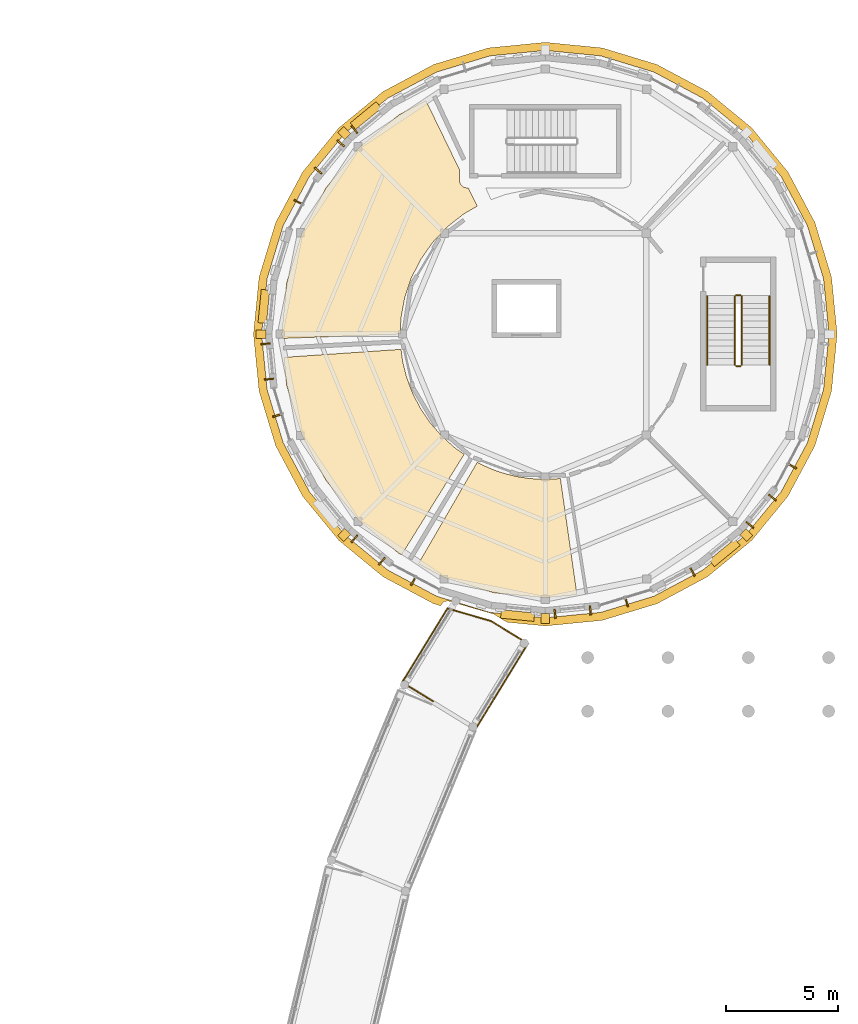
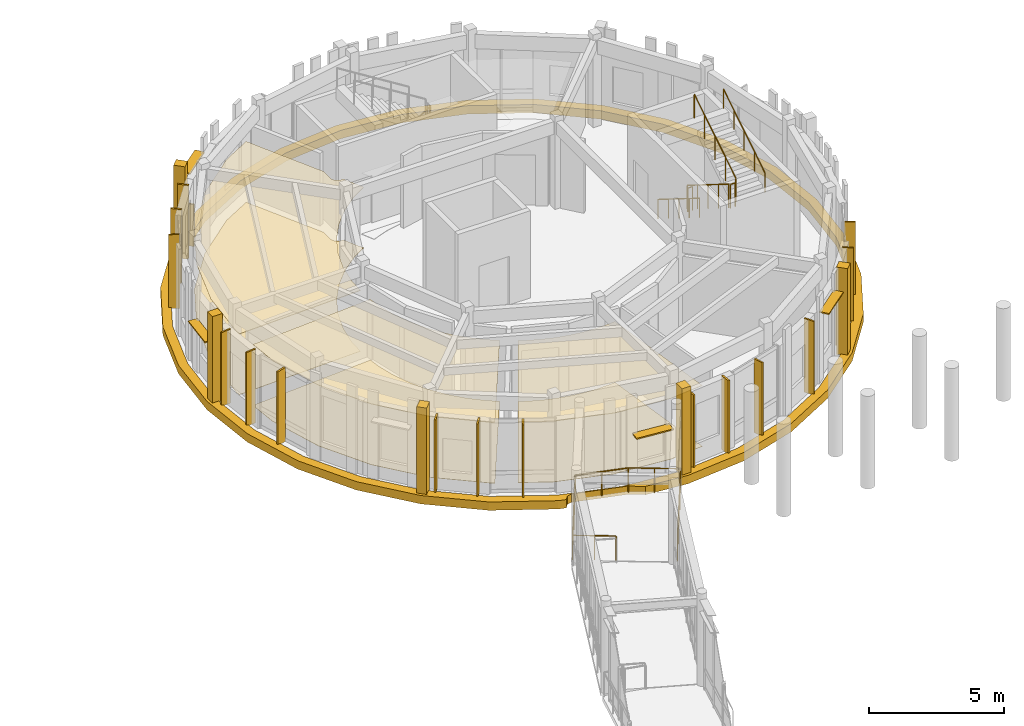
# One storey, part 79 of 80: 21 shading devices, 12 coverings, 8 railings.
"""IFC4 building model written with IfcOpenShell, lengths in metres."""

from ifc_helpers import new_model, si_unit, direction, frame, origin, origin_2d, place, context, subcontext, project, spatial, polyline, rectangle, circle, outline, extrude, material, layer, layer_set, type_object, element, save


model = new_model("IFC4")

# Units and contexts
model_context = context("Model", 3, precision=1e-05, world=origin(), true_north=direction((0.0, 1.0)))
body_context = subcontext(model_context, "Body", "Model", "MODEL_VIEW")
ifc_project = project(units=[si_unit("LENGTHUNIT", "METRE"), si_unit("AREAUNIT", "SQUARE_METRE"), si_unit("VOLUMEUNIT", "CUBIC_METRE"), si_unit("PLANEANGLEUNIT", "RADIAN"), si_unit("MASSUNIT", "GRAM", prefix="KILO")], contexts=[model_context])

# Site, building, storey
site_placement = place(None, origin())
site = spatial("IfcSite", under=ifc_project, at=site_placement, CompositionType="ELEMENT")
building_placement = place(site_placement, origin())
building = spatial("IfcBuilding", under=site, at=building_placement, Name="Aldenvaro Health Centre", CompositionType="ELEMENT")
storey_placement = place(building_placement, frame((0.0, 0.0, 4.550048828125)))
storey = spatial("IfcBuildingStorey", under=building, at=storey_placement, Name="L01", CompositionType="ELEMENT", Elevation=4.550048828125)

# Coverings
ifc_material_1 = material(Name="Hygienic Sealed Gypsum Ceiling")
ifc_layer_1 = layer(ifc_material_1, 0.02490234375, Name="Hygienic Sealed Gypsum Ceiling")
ifc_layer_set_1 = layer_set([ifc_layer_1], Name="Hygienic Sealed Gypsum Ceiling")
covering_type_1 = type_object("IfcCoveringType", Name="COV-CLG-GYP25", PredefinedType="CEILING", material=ifc_layer_set_1)
covering_1_placement = place(storey_placement, frame((0.0, 0.0, 2.75)))
element("IfcCovering", 1, at=covering_1_placement, inside=storey, type_object=covering_type_1, Name="D2-L01-R02 Suspended Ceiling", PredefinedType="CEILING", context=body_context, shape_type="SweptSolid", body=[
    extrude(outline(polyline([(150.85791015625, 104.89501953125), (150.8291015625, 104.8759765625), (150.118896484375, 104.31494140625), (150.093994140625, 104.291015625), (149.471923828125, 103.634033203125), (149.449951171875, 103.60693359375), (148.928955078125, 102.866943359375), (148.910888671875, 102.837890625), (148.5029296875, 102.031005859375), (148.489013671875, 101.9990234375), (148.200927734375, 101.14111328125), (148.19189453125, 101.10791015625), (148.030029296875, 100.217041015625), (148.027099609375, 100.18310546875), (148.001953125, 99.501953125), (142.699951171875, 99.306884765625), (142.681884765625, 99.5), (142.907958984375, 101.804931640625), (143.5810546875, 104.02294921875), (144.673095703125, 106.06591796875), (146.14306640625, 107.85693359375), (147.93408203125, 109.326904296875), (149.14697265625, 109.97509765625), (150.659912109375, 106.85888671875), (150.659912109375, 106.3798828125), (150.659912109375, 106.367919921875), (150.660888671875, 106.360107421875), (150.6630859375, 106.3369140625), (150.6640625, 106.3291015625), (150.6689453125, 106.305908203125), (150.6708984375, 106.298095703125), (150.677001953125, 106.27587890625), (150.679931640625, 106.26904296875), (150.68896484375, 106.2470703125), (150.69189453125, 106.239990234375), (150.7041015625, 106.218994140625), (150.7080078125, 106.2119140625), (150.720947265625, 106.193115234375), (150.72509765625, 106.18603515625), (150.739990234375, 106.16796875), (150.74609375, 106.162109375), (150.761962890625, 106.14599609375), (150.76806640625, 106.139892578125), (150.785888671875, 106.125), (150.79296875, 106.12109375), (150.81201171875, 106.10791015625), (150.819091796875, 106.10400390625), (150.840087890625, 106.092041015625), (150.846923828125, 106.089111328125), (150.868896484375, 106.080078125), (150.8759765625, 106.076904296875), (150.89794921875, 106.071044921875), (150.906005859375, 106.069091796875), (150.928955078125, 106.06396484375), (150.93701171875, 106.06298828125), (150.9599609375, 106.06103515625), (150.968017578125, 106.06005859375), (150.97998046875, 106.06005859375), (151.048095703125, 106.06005859375), (151.447998046875, 105.236083984375), (150.85791015625, 104.89501953125)])), origin(), (0.0, 0.0, 1.0), 0.02490234375),
])
covering_2_placement = place(storey_placement, frame((0.0, 0.0, 2.75)))
element("IfcCovering", 2, at=covering_2_placement, inside=storey, type_object=covering_type_1, Name="D2-L01-R03 Suspended Ceiling", PredefinedType="CEILING", context=body_context, shape_type="SweptSolid", body=[
    extrude(outline(polyline([(148.10009765625, 98.30810546875), (148.10595703125, 98.280029296875), (148.285888671875, 97.56103515625), (148.2939453125, 97.533935546875), (148.55810546875, 96.842041015625), (148.569091796875, 96.81591796875), (148.9130859375, 96.158935546875), (148.927978515625, 96.135009765625), (149.345947265625, 95.52392578125), (149.363037109375, 95.5009765625), (149.85107421875, 94.943115234375), (149.87109375, 94.923095703125), (150.4208984375, 94.427001953125), (150.443115234375, 94.408935546875), (150.863037109375, 94.112060546875), (148.05908203125, 89.60595703125), (147.93408203125, 89.673095703125), (146.14306640625, 91.14306640625), (144.673095703125, 92.93408203125), (143.5810546875, 94.97705078125), (142.907958984375, 97.195068359375), (142.783935546875, 98.4609375), (148.034912109375, 98.819091796875), (148.10009765625, 98.30810546875)])), origin(), (0.0, 0.0, 1.0), 0.02490234375),
])
covering_3_placement = place(storey_placement, frame((0.0, 0.0, 2.75)))
element("IfcCovering", 3, at=covering_3_placement, inside=storey, type_object=covering_type_1, Name="D2-L01-R04 Suspended Ceiling", PredefinedType="CEILING", context=body_context, shape_type="SweptSolid", body=[
    extrude(outline(polyline([(151.7060546875, 93.6201171875), (151.72412109375, 93.612060546875), (152.2060546875, 93.407958984375), (152.22412109375, 93.40087890625), (152.720947265625, 93.238037109375), (152.739990234375, 93.23291015625), (153.248046875, 93.112060546875), (153.26806640625, 93.10791015625), (153.783935546875, 93.030029296875), (153.803955078125, 93.028076171875), (154.324951171875, 92.992919921875), (154.344970703125, 92.991943359375), (154.867919921875, 93.0009765625), (154.887939453125, 93.001953125), (155.177978515625, 93.031005859375), (155.919921875, 87.821044921875), (154.5, 87.681884765625), (152.195068359375, 87.907958984375), (149.97705078125, 88.5810546875), (148.81005859375, 89.205078125), (151.447998046875, 93.756103515625), (151.7060546875, 93.6201171875)])), origin(), (0.0, 0.0, 1.0), 0.02490234375),
])
ifc_material_2 = material(Name="Honed Sonoran Buff Limestone", Category="masonry")
ifc_layer_2 = layer(ifc_material_2, 0.280029296875, Name="Honed Sonoran Buff Limestone", Category="masonry")
ifc_layer_set_2 = layer_set([ifc_layer_2], Name="Honed Sonoran Buff Limestone")
covering_type_2 = type_object("IfcCoveringType", Name="COV-CRN-STN", PredefinedType="CLADDING", material=ifc_layer_set_2)
covering_4_placement = place(storey_placement, frame((0.0, 0.0, -0.340087890625)))
element("IfcCovering", 4, at=covering_4_placement, inside=storey, type_object=covering_type_2, Name="D2 L01 Classical Stone Entablature Cornice 1", PredefinedType="CLADDING", context=body_context, shape_type="SweptSolid", body=[
    extrude(outline(polyline([(149.4951171875, 87.416015625), (147.23291015625, 88.6240234375), (145.2509765625, 90.2509765625), (143.6240234375, 92.23291015625), (142.416015625, 94.4951171875), (141.6708984375, 96.947998046875), (141.419921875, 99.5), (141.6708984375, 102.052001953125), (142.416015625, 104.5048828125), (143.6240234375, 106.76708984375), (145.2509765625, 108.7490234375), (147.23291015625, 110.3759765625), (149.4951171875, 111.583984375), (151.947998046875, 112.3291015625), (154.5, 112.580078125), (157.052001953125, 112.3291015625), (159.5048828125, 111.583984375), (161.76708984375, 110.3759765625), (163.7490234375, 108.7490234375), (165.3759765625, 106.76708984375), (166.583984375, 104.5048828125), (167.3291015625, 102.052001953125), (167.580078125, 99.5), (167.3291015625, 96.947998046875), (166.583984375, 94.4951171875), (165.3759765625, 92.23291015625), (163.7490234375, 90.2509765625), (161.76708984375, 88.6240234375), (159.5048828125, 87.416015625), (157.052001953125, 86.6708984375), (154.5, 86.419921875), (152.781005859375, 86.589111328125), (152.18603515625, 86.948974609375), (150.14306640625, 87.5400390625), (149.952880859375, 87.508056640625), (149.799072265625, 87.323974609375), (149.4951171875, 87.416015625)]), holes=[polyline([(166.970947265625, 101.98095703125), (166.2470703125, 104.365966796875), (165.072021484375, 106.56396484375), (163.490966796875, 108.490966796875), (161.56396484375, 110.072021484375), (159.365966796875, 111.2470703125), (156.98095703125, 111.970947265625), (154.5, 112.215087890625), (152.01904296875, 111.970947265625), (149.634033203125, 111.2470703125), (147.43603515625, 110.072021484375), (145.509033203125, 108.490966796875), (143.927978515625, 106.56396484375), (142.7529296875, 104.365966796875), (142.029052734375, 101.98095703125), (141.784912109375, 99.5), (142.029052734375, 97.01904296875), (142.7529296875, 94.634033203125), (143.927978515625, 92.43603515625), (145.509033203125, 90.509033203125), (147.43603515625, 88.927978515625), (149.634033203125, 87.7529296875), (152.01904296875, 87.029052734375), (154.5, 86.784912109375), (156.98095703125, 87.029052734375), (159.365966796875, 87.7529296875), (161.56396484375, 88.927978515625), (163.490966796875, 90.509033203125), (165.072021484375, 92.43603515625), (166.2470703125, 94.634033203125), (166.970947265625, 97.01904296875), (167.215087890625, 99.5), (166.970947265625, 101.98095703125)])]), origin(), (0.0, 0.0, 1.0), 0.380126953125),
])
for number, where, z_axis, x_axis, name in (
    (5, (163.509033203125, 90.490966796875, -0.00048828125), (0.0, 0.0, 1.0), (0.707106781187, -0.707106781187, 0.0), "D2 L01 Engaged Classical Limestone Pilaster 03"),
    (6, (154.5, 86.760009765625, -0.00048828125), (0.0, 0.0, 1.0), (0.0, -1.0, 0.0), "D2 L01 Engaged Classical Limestone Pilaster 05"),
    (7, (145.490966796875, 90.490966796875, -0.00048828125), (0.0, 0.0, 1.0), (-0.707106781187, -0.707106781187, 0.0), "D2 L01 Engaged Classical Limestone Pilaster 07"),
    (8, (141.760009765625, 99.5, -0.00048828125), (0.0, 0.0, 1.0), (-1.0, 0.0, 0.0), "D2 L01 Engaged Classical Limestone Pilaster 09"),
    (9, (145.490966796875, 108.509033203125, -0.00048828125), (0.0, 0.0, 1.0), (-0.707106781187, 0.707106781187, 0.0), "D2 L01 Engaged Classical Limestone Pilaster 11"),
):
    element("IfcCovering", number, at=place(storey_placement, frame(where, z_axis=z_axis, x_axis=x_axis)), inside=storey, type_object=covering_type_2, Name=name, PredefinedType="CLADDING", context=body_context, shape_type="SweptSolid", body=[
        extrude(rectangle(XDim=0.43994140625, YDim=0.3798828125, at=origin_2d()), origin(), (0.0, 0.0, 1.0), 3.955078125),
    ])
ifc_material_3 = material(Name="Seamless Homogeneous Sheet Vinyl")
ifc_layer_3 = layer(ifc_material_3, 0.013916015625, Name="Seamless Homogeneous Sheet Vinyl")
ifc_layer_set_3 = layer_set([ifc_layer_3], Name="Seamless Homogeneous Sheet Vinyl")
covering_type_3 = type_object("IfcCoveringType", Name="COV-FLR-VNL14", PredefinedType="FLOORING", material=ifc_layer_set_3)
covering_5_placement = place(storey_placement, origin())
element("IfcCovering", 10, at=covering_5_placement, inside=storey, type_object=covering_type_3, Name="D2-L01-R02 Flooring", PredefinedType="FLOORING", context=body_context, shape_type="SweptSolid", body=[
    extrude(outline(polyline([(150.85791015625, 104.89501953125), (150.8291015625, 104.8759765625), (150.118896484375, 104.31494140625), (150.093994140625, 104.291015625), (149.471923828125, 103.634033203125), (149.449951171875, 103.60693359375), (148.928955078125, 102.866943359375), (148.910888671875, 102.837890625), (148.5029296875, 102.031005859375), (148.489013671875, 101.9990234375), (148.200927734375, 101.14111328125), (148.19189453125, 101.10791015625), (148.030029296875, 100.217041015625), (148.027099609375, 100.18310546875), (148.001953125, 99.501953125), (142.699951171875, 99.306884765625), (142.681884765625, 99.5), (142.907958984375, 101.804931640625), (143.5810546875, 104.02294921875), (144.673095703125, 106.06591796875), (146.14306640625, 107.85693359375), (147.93408203125, 109.326904296875), (149.14697265625, 109.97509765625), (150.659912109375, 106.85888671875), (150.659912109375, 106.3798828125), (150.659912109375, 106.367919921875), (150.660888671875, 106.360107421875), (150.6630859375, 106.3369140625), (150.6640625, 106.3291015625), (150.6689453125, 106.305908203125), (150.6708984375, 106.298095703125), (150.677001953125, 106.27587890625), (150.679931640625, 106.26904296875), (150.68896484375, 106.2470703125), (150.69189453125, 106.239990234375), (150.7041015625, 106.218994140625), (150.7080078125, 106.2119140625), (150.720947265625, 106.193115234375), (150.72509765625, 106.18603515625), (150.739990234375, 106.16796875), (150.74609375, 106.162109375), (150.761962890625, 106.14599609375), (150.76806640625, 106.139892578125), (150.785888671875, 106.125), (150.79296875, 106.12109375), (150.81201171875, 106.10791015625), (150.819091796875, 106.10400390625), (150.840087890625, 106.092041015625), (150.846923828125, 106.089111328125), (150.868896484375, 106.080078125), (150.8759765625, 106.076904296875), (150.89794921875, 106.071044921875), (150.906005859375, 106.069091796875), (150.928955078125, 106.06396484375), (150.93701171875, 106.06298828125), (150.9599609375, 106.06103515625), (150.968017578125, 106.06005859375), (150.97998046875, 106.06005859375), (151.048095703125, 106.06005859375), (151.447998046875, 105.236083984375), (150.85791015625, 104.89501953125)])), origin(), (0.0, 0.0, 1.0), 0.013916015625),
])
covering_6_placement = place(storey_placement, origin())
element("IfcCovering", 11, at=covering_6_placement, inside=storey, type_object=covering_type_3, Name="D2-L01-R03 Flooring", PredefinedType="FLOORING", context=body_context, shape_type="SweptSolid", body=[
    extrude(outline(polyline([(148.10009765625, 98.30810546875), (148.10595703125, 98.280029296875), (148.285888671875, 97.56103515625), (148.2939453125, 97.533935546875), (148.55810546875, 96.842041015625), (148.569091796875, 96.81591796875), (148.9130859375, 96.158935546875), (148.927978515625, 96.135009765625), (149.345947265625, 95.52392578125), (149.363037109375, 95.5009765625), (149.85107421875, 94.943115234375), (149.87109375, 94.923095703125), (150.4208984375, 94.427001953125), (150.443115234375, 94.408935546875), (150.863037109375, 94.112060546875), (148.05908203125, 89.60595703125), (147.93408203125, 89.673095703125), (146.14306640625, 91.14306640625), (144.673095703125, 92.93408203125), (143.5810546875, 94.97705078125), (142.907958984375, 97.195068359375), (142.783935546875, 98.4609375), (148.034912109375, 98.819091796875), (148.10009765625, 98.30810546875)])), origin(), (0.0, 0.0, 1.0), 0.013916015625),
])
covering_7_placement = place(storey_placement, origin())
element("IfcCovering", 12, at=covering_7_placement, inside=storey, type_object=covering_type_3, Name="D2-L01-R04 Flooring", PredefinedType="FLOORING", context=body_context, shape_type="SweptSolid", body=[
    extrude(outline(polyline([(151.7060546875, 93.6201171875), (151.72412109375, 93.612060546875), (152.2060546875, 93.407958984375), (152.22412109375, 93.40087890625), (152.720947265625, 93.238037109375), (152.739990234375, 93.23291015625), (153.248046875, 93.112060546875), (153.26806640625, 93.10791015625), (153.783935546875, 93.030029296875), (153.803955078125, 93.028076171875), (154.324951171875, 92.992919921875), (154.344970703125, 92.991943359375), (154.867919921875, 93.0009765625), (154.887939453125, 93.001953125), (155.177978515625, 93.031005859375), (155.919921875, 87.821044921875), (154.5, 87.681884765625), (152.195068359375, 87.907958984375), (149.97705078125, 88.5810546875), (148.81005859375, 89.205078125), (151.447998046875, 93.756103515625), (151.7060546875, 93.6201171875)])), origin(), (0.0, 0.0, 1.0), 0.013916015625),
])

# Railings
ifc_material_4 = material(Name="Painted Architectural Steel", Category="steel")
railing_type_1 = type_object("IfcRailingType", Name="RL-BAL-110", PredefinedType="GUARDRAIL", material=ifc_material_4)
railing_1_placement = place(storey_placement, frame((153.719970703125, 85.626953125, 0.0)))
element("IfcRailing", 13, at=railing_1_placement, inside=storey, type_object=railing_type_1, Name="East Curved Garden Colonnade Arc 1 L01 edge guardrail 1", PredefinedType="GUARDRAIL", context=body_context, shape_type="SweptSolid", body=[
    extrude(circle(Radius=0.02392578125, at=origin_2d()), frame((0.0, 0.0, 1.09619140625), z_axis=(-0.522468581191, -0.852658537557, 0.0), x_axis=(0.852658537557, -0.522468581191, 0.0)), (0.0, 0.0, 1.0), 4.40966796875),
    extrude(circle(Radius=0.02099609375, at=origin_2d()), origin(), (0.0, 0.0, 1.0), 1.072021484375),
    extrude(circle(Radius=0.02099609375, at=origin_2d()), frame((-0.575927734375, -0.93994140625, 0.0)), (0.0, 0.0, 1.0), 1.072021484375),
    extrude(circle(Radius=0.02099609375, at=origin_2d()), frame((-1.15185546875, -1.8798828125, 0.0)), (0.0, 0.0, 1.0), 1.072021484375),
    extrude(circle(Radius=0.02099609375, at=origin_2d()), frame((-1.72802734375, -2.820068359375, 0.0)), (0.0, 0.0, 1.0), 1.072021484375),
    extrude(circle(Radius=0.02099609375, at=origin_2d()), frame((-2.303955078125, -3.760009765625, 0.0)), (0.0, 0.0, 1.0), 1.072021484375),
])
railing_2_placement = place(storey_placement, frame((149.470947265625, 83.047119140625, 0.0)))
element("IfcRailing", 14, at=railing_2_placement, inside=storey, type_object=railing_type_1, Name="East Curved Garden Colonnade Arc 1 L01 edge guardrail 2", PredefinedType="GUARDRAIL", context=body_context, shape_type="SweptSolid", body=[
    extrude(circle(Radius=0.02392578125, at=origin_2d()), frame((0.0, 0.0, 1.09619140625), z_axis=(-0.852333383664, 0.522998855726, 0.0), x_axis=(-0.522998855726, -0.852333383664, 0.0)), (0.0, 0.0, 1.0), 1.625),
    extrude(circle(Radius=0.02392578125, at=origin_2d()), frame((-1.385009765625, 0.849853515625, 1.09619140625), z_axis=(0.522731658427, 0.852497280511, 0.0), x_axis=(-0.852497280511, 0.522731658427, 0.0)), (0.0, 0.0, 1.0), 3.881591796875),
    extrude(circle(Radius=0.02392578125, at=origin_2d()), frame((0.64404296875, 4.158935546875, 1.09619140625), z_axis=(0.96059216992, -0.277961657587, 0.0), x_axis=(0.277961657587, 0.96059216992, 0.0)), (0.0, 0.0, 1.0), 2.02880859375),
    extrude(circle(Radius=0.02392578125, at=origin_2d()), frame((2.593017578125, 3.594970703125, 1.09619140625), z_axis=(0.852563314625, -0.52262395138, 0.0), x_axis=(0.52262395138, 0.852563314625, 0.0)), (0.0, 0.0, 1.0), 1.9423828125),
    extrude(circle(Radius=0.02099609375, at=origin_2d()), origin(), (0.0, 0.0, 1.0), 1.072021484375),
    extrude(circle(Radius=0.02099609375, at=origin_2d()), frame((-0.6923828125, 0.4248046875, 0.0)), (0.0, 0.0, 1.0), 1.072021484375),
    extrude(circle(Radius=0.02099609375, at=origin_2d()), frame((-1.385009765625, 0.849853515625, 0.0)), (0.0, 0.0, 1.0), 1.072021484375),
    extrude(circle(Radius=0.02099609375, at=origin_2d()), frame((-0.877685546875, 1.67724609375, 0.0)), (0.0, 0.0, 1.0), 1.072021484375),
    extrude(circle(Radius=0.02099609375, at=origin_2d()), frame((-0.37060546875, 2.50439453125, 0.0)), (0.0, 0.0, 1.0), 1.072021484375),
    extrude(circle(Radius=0.02099609375, at=origin_2d()), frame((0.13671875, 3.33154296875, 0.0)), (0.0, 0.0, 1.0), 1.072021484375),
    extrude(circle(Radius=0.02099609375, at=origin_2d()), frame((0.64404296875, 4.158935546875, 0.0)), (0.0, 0.0, 1.0), 1.072021484375),
    extrude(circle(Radius=0.02099609375, at=origin_2d()), frame((1.61865234375, 3.876953125, 0.0)), (0.0, 0.0, 1.0), 1.072021484375),
    extrude(circle(Radius=0.02099609375, at=origin_2d()), frame((2.593017578125, 3.594970703125, 0.0)), (0.0, 0.0, 1.0), 1.072021484375),
    extrude(circle(Radius=0.02099609375, at=origin_2d()), frame((3.4208984375, 3.08740234375, 0.0)), (0.0, 0.0, 1.0), 1.072021484375),
    extrude(circle(Radius=0.02099609375, at=origin_2d()), frame((4.2490234375, 2.579833984375, 0.0)), (0.0, 0.0, 1.0), 1.072021484375),
])
railing_type_2 = type_object("IfcRailingType", Name="RL-BAL-INT", PredefinedType="BALUSTRADE", material=ifc_material_4)
railing_3_placement = place(storey_placement, frame((163.0, 101.199951171875, 0.175048828125)))
element("IfcRailing", 15, at=railing_3_placement, inside=storey, type_object=railing_type_2, Name="L01 ST-03 stair guard 1", PredefinedType="BALUSTRADE", context=body_context, shape_type="SweptSolid", body=[
    extrude(circle(Radius=0.02392578125, at=origin_2d()), frame((0.0, 0.0, 1.076171875), z_axis=(0.0, -0.848009633417, 0.529980812513), x_axis=(1.0, 0.0, 0.0)), (0.0, 0.0, 1.0), 3.6318359375),
    extrude(circle(Radius=0.02099609375, at=origin_2d()), origin(), (0.0, 0.0, 1.0), 1.052001953125),
    extrude(circle(Radius=0.02099609375, at=origin_2d()), frame((0.0, -0.77001953125, 0.481201171875)), (0.0, 0.0, 1.0), 1.052001953125),
    extrude(circle(Radius=0.02099609375, at=origin_2d()), frame((0.0, -1.5400390625, 0.96240234375)), (0.0, 0.0, 1.0), 1.052001953125),
    extrude(circle(Radius=0.02099609375, at=origin_2d()), frame((0.0, -2.309814453125, 1.443603515625)), (0.0, 0.0, 1.0), 1.052001953125),
    extrude(circle(Radius=0.02099609375, at=origin_2d()), frame((0.0, -3.079833984375, 1.9248046875)), (0.0, 0.0, 1.0), 1.052001953125),
])
railing_4_placement = place(storey_placement, frame((163.050048828125, 98.070068359375, 2.099853515625)))
element("IfcRailing", 16, at=railing_4_placement, inside=storey, type_object=railing_type_2, Name="L01 ST-03 stair guard 2", PredefinedType="BALUSTRADE", context=body_context, shape_type="SweptSolid", body=[
    extrude(circle(Radius=0.02392578125, at=origin_2d()), frame((0.0, 0.0, 1.076171875), z_axis=(1.0, 0.0, 0.0), x_axis=(0.0, 1.0, 0.0)), (0.0, 0.0, 1.0), 0.199951171875),
    extrude(circle(Radius=0.02099609375, at=origin_2d()), origin(), (0.0, 0.0, 1.0), 1.052001953125),
    extrude(circle(Radius=0.02099609375, at=origin_2d()), frame((0.199951171875, 0.0, 0.0)), (0.0, 0.0, 1.0), 1.052001953125),
])
railing_5_placement = place(storey_placement, frame((163.300048828125, 98.1201171875, 2.27490234375)))
element("IfcRailing", 17, at=railing_5_placement, inside=storey, type_object=railing_type_2, Name="L01 ST-03 stair guard 3", PredefinedType="BALUSTRADE", context=body_context, shape_type="SweptSolid", body=[
    extrude(circle(Radius=0.02392578125, at=origin_2d()), frame((0.0, 0.0, 1.076171875), z_axis=(0.0, 0.847979421464, 0.530029150871), x_axis=(-1.0, 0.0, 0.0)), (0.0, 0.0, 1.0), 3.632080078125),
    extrude(circle(Radius=0.02099609375, at=origin_2d()), origin(), (0.0, 0.0, 1.0), 1.052001953125),
    extrude(circle(Radius=0.02099609375, at=origin_2d()), frame((0.0, 0.77001953125, 0.481201171875)), (0.0, 0.0, 1.0), 1.052001953125),
    extrude(circle(Radius=0.02099609375, at=origin_2d()), frame((0.0, 1.5400390625, 0.96240234375)), (0.0, 0.0, 1.0), 1.052001953125),
    extrude(circle(Radius=0.02099609375, at=origin_2d()), frame((0.0, 2.309814453125, 1.44384765625)), (0.0, 0.0, 1.0), 1.052001953125),
    extrude(circle(Radius=0.02099609375, at=origin_2d()), frame((0.0, 3.079833984375, 1.925048828125)), (0.0, 0.0, 1.0), 1.052001953125),
])
railing_6_placement = place(storey_placement, frame((163.050048828125, 101.25, 0.0)))
element("IfcRailing", 18, at=railing_6_placement, inside=storey, type_object=railing_type_2, Name="L01 ST-03 stair guard 4", PredefinedType="BALUSTRADE", context=body_context, shape_type="SweptSolid", body=[
    extrude(circle(Radius=0.02392578125, at=origin_2d()), frame((0.0, 0.0, 1.076171875), z_axis=(1.0, 0.0, 0.0), x_axis=(0.0, 1.0, 0.0)), (0.0, 0.0, 1.0), 0.199951171875),
    extrude(circle(Radius=0.02099609375, at=origin_2d()), origin(), (0.0, 0.0, 1.0), 1.052001953125),
    extrude(circle(Radius=0.02099609375, at=origin_2d()), frame((0.199951171875, 0.0, 0.0)), (0.0, 0.0, 1.0), 1.052001953125),
])
railing_type_3 = type_object("IfcRailingType", Name="RL-HND-INT", PredefinedType="HANDRAIL", material=ifc_material_4)
railing_7_placement = place(storey_placement, frame((161.75, 101.199951171875, 0.175048828125)))
element("IfcRailing", 19, at=railing_7_placement, inside=storey, type_object=railing_type_3, Name="L01 ST-03 stair handrail 1", PredefinedType="HANDRAIL", context=body_context, shape_type="SweptSolid", body=[
    extrude(circle(Radius=0.02392578125, at=origin_2d()), frame((0.0, 0.0, 0.8759765625), z_axis=(0.0, -0.848009633417, 0.529980812513), x_axis=(1.0, 0.0, 0.0)), (0.0, 0.0, 1.0), 3.6318359375),
    extrude(circle(Radius=0.02099609375, at=origin_2d()), origin(), (0.0, 0.0, 1.0), 0.851806640625),
    extrude(circle(Radius=0.02099609375, at=origin_2d()), frame((0.0, -0.77001953125, 0.481201171875)), (0.0, 0.0, 1.0), 0.851806640625),
    extrude(circle(Radius=0.02099609375, at=origin_2d()), frame((0.0, -1.5400390625, 0.96240234375)), (0.0, 0.0, 1.0), 0.851806640625),
    extrude(circle(Radius=0.02099609375, at=origin_2d()), frame((0.0, -2.309814453125, 1.443603515625)), (0.0, 0.0, 1.0), 0.851806640625),
    extrude(circle(Radius=0.02099609375, at=origin_2d()), frame((0.0, -3.079833984375, 1.9248046875)), (0.0, 0.0, 1.0), 0.851806640625),
])
railing_8_placement = place(storey_placement, frame((164.550048828125, 98.1201171875, 2.27490234375)))
element("IfcRailing", 20, at=railing_8_placement, inside=storey, type_object=railing_type_3, Name="L01 ST-03 stair handrail 2", PredefinedType="HANDRAIL", context=body_context, shape_type="SweptSolid", body=[
    extrude(circle(Radius=0.02392578125, at=origin_2d()), frame((0.0, 0.0, 0.8759765625), z_axis=(0.0, 0.847979421464, 0.530029150871), x_axis=(-1.0, 0.0, 0.0)), (0.0, 0.0, 1.0), 3.632080078125),
    extrude(circle(Radius=0.02099609375, at=origin_2d()), origin(), (0.0, 0.0, 1.0), 0.851806640625),
    extrude(circle(Radius=0.02099609375, at=origin_2d()), frame((0.0, 0.77001953125, 0.481201171875)), (0.0, 0.0, 1.0), 0.851806640625),
    extrude(circle(Radius=0.02099609375, at=origin_2d()), frame((0.0, 1.5400390625, 0.96240234375)), (0.0, 0.0, 1.0), 0.851806640625),
    extrude(circle(Radius=0.02099609375, at=origin_2d()), frame((0.0, 2.309814453125, 1.44384765625)), (0.0, 0.0, 1.0), 0.851806640625),
    extrude(circle(Radius=0.02099609375, at=origin_2d()), frame((0.0, 3.079833984375, 1.925048828125)), (0.0, 0.0, 1.0), 0.851806640625),
])

# Shading devices
ifc_material_5 = material(Name="Douglas Fir Exterior Glulam GL28h", Category="wood")
shading_device_type_1 = type_object("IfcShadingDeviceType", Name="SHD-FIN-190", PredefinedType="USERDEFINED", material=ifc_material_5)
shading_device_1_placement = place(storey_placement, frame((145.946044921875, 108.669921875, -0.02001953125), z_axis=(0.0, 0.0, 1.0), x_axis=(0.773021639749, 0.634379653268, 0.0)))
element("IfcShadingDevice", 21, at=shading_device_1_placement, inside=storey, type_object=shading_device_type_1, Name="D2 L01 Douglas fir fin 21.1", ObjectType="FIN", PredefinedType="USERDEFINED", context=body_context, shape_type="SweptSolid", body=[
    extrude(rectangle(XDim=0.06494140625, YDim=0.419921875, at=origin_2d()), origin(), (0.0, 0.0, 1.0), 1.89990234375),
])
shading_device_type_2 = type_object("IfcShadingDeviceType", Name="SHD-FIN-340", PredefinedType="USERDEFINED", material=ifc_material_5)
for number, where, z_axis, x_axis, name in (
    (22, (165.568115234375, 93.583984375, -0.01953125), (0.0, 0.0, 1.0), (-0.471399336159, -0.881919874971, 0.0), "D2 L01 vertical timber fin 3.0"),
    (23, (142.489990234375, 95.85693359375, -0.01953125), (0.0, 0.0, 1.0), (-0.290441245116, 0.956892827403, 0.0), "D2 L01 vertical timber fin 15.0"),
):
    element("IfcShadingDevice", number, at=place(storey_placement, frame(where, z_axis=z_axis, x_axis=x_axis)), inside=storey, type_object=shading_device_type_2, Name=name, ObjectType="FIN", PredefinedType="USERDEFINED", context=body_context, shape_type="SweptSolid", body=[
        extrude(rectangle(XDim=0.074951171875, YDim=0.419921875, at=origin_2d()), origin(), (0.0, 0.0, 1.0), 3.34912109375),
    ])
shading_device_type_3 = type_object("IfcShadingDeviceType", Name="SHD-FIN-380", PredefinedType="USERDEFINED", material=ifc_material_5)
for number, where, z_axis, x_axis, name in (
    (24, (156.51806640625, 87.123046875, -0.01953125), (0.0, 0.0, 1.0), (-0.995194782414, -0.097914988926, 0.0), "D2 L01 Douglas fir fin 8.1"),
    (25, (154.93505859375, 86.967041015625, -0.01953125), (0.0, 0.0, 1.0), (-0.995194782414, -0.097914988926, 0.0), "D2 L01 Douglas fir fin 8.3"),
    (26, (144.321044921875, 106.824951171875, -0.01953125), (0.0, 0.0, 1.0), (0.634379653268, 0.773021639749, 0.0), "D2 L01 Douglas fir fin 20.1"),
    (27, (145.330078125, 108.053955078125, -0.01953125), (0.0, 0.0, 1.0), (0.634379653268, 0.773021639749, 0.0), "D2 L01 Douglas fir fin 20.3"),
):
    element("IfcShadingDevice", number, at=place(storey_placement, frame(where, z_axis=z_axis, x_axis=x_axis)), inside=storey, type_object=shading_device_type_3, Name=name, ObjectType="FIN", PredefinedType="USERDEFINED", context=body_context, shape_type="SweptSolid", body=[
        extrude(rectangle(XDim=0.074951171875, YDim=0.419921875, at=origin_2d()), origin(), (0.0, 0.0, 1.0), 3.34912109375),
    ])
shading_device_type_4 = type_object("IfcShadingDeviceType", Name="SHD-FIN-400", PredefinedType="USERDEFINED", material=ifc_material_5)
for number, where, z_axis, x_axis, name in (
    (28, (158.14306640625, 87.489990234375, -0.01953125), (0.0, 0.0, 1.0), (-0.956892827403, -0.290441245116, 0.0), "D2 L01 vertical timber fin 7.0"),
    (29, (143.431884765625, 105.416015625, -0.01953125), (0.0, 0.0, 1.0), (0.471399336159, 0.881919874971, 0.0), "D2 L01 vertical timber fin 19.0"),
):
    element("IfcShadingDevice", number, at=place(storey_placement, frame(where, z_axis=z_axis, x_axis=x_axis)), inside=storey, type_object=shading_device_type_4, Name=name, ObjectType="FIN", PredefinedType="USERDEFINED", context=body_context, shape_type="SweptSolid", body=[
        extrude(rectangle(XDim=0.06494140625, YDim=0.419921875, at=origin_2d()), origin(), (0.0, 0.0, 1.0), 3.34912109375),
    ])
shading_device_type_5 = type_object("IfcShadingDeviceType", Name="SHD-FIN-420", PredefinedType="USERDEFINED", material=ifc_material_5)
for number, where, z_axis, x_axis, name in (
    (30, (161.10107421875, 88.837890625, -0.01953125), (0.0, 0.0, 1.0), (-0.881919874971, -0.471399336159, 0.0), "D2 L01 Douglas fir fin 6.1"),
    (31, (147.175048828125, 89.321044921875, -0.01953125), (0.0, 0.0, 1.0), (-0.773021639749, 0.634379653268, 0.0), "D2 L01 Douglas fir fin 12.1"),
    (32, (145.946044921875, 90.330078125, -0.01953125), (0.0, 0.0, 1.0), (-0.773021639749, 0.634379653268, 0.0), "D2 L01 Douglas fir fin 12.3"),
):
    element("IfcShadingDevice", number, at=place(storey_placement, frame(where, z_axis=z_axis, x_axis=x_axis)), inside=storey, type_object=shading_device_type_5, Name=name, ObjectType="FIN", PredefinedType="USERDEFINED", context=body_context, shape_type="SweptSolid", body=[
        extrude(rectangle(XDim=0.06494140625, YDim=0.419921875, at=origin_2d()), origin(), (0.0, 0.0, 1.0), 3.34912109375),
    ])
shading_device_type_6 = type_object("IfcShadingDeviceType", Name="SHD-FIN-435", PredefinedType="USERDEFINED", material=ifc_material_5)
shading_device_2_placement = place(storey_placement, frame((148.583984375, 88.431884765625, -0.01953125), z_axis=(0.0, 0.0, 1.0), x_axis=(-0.881919874971, 0.471399336159, 0.0)))
element("IfcShadingDevice", 33, at=shading_device_2_placement, inside=storey, type_object=shading_device_type_6, Name="D2 L01 vertical timber fin 11.0", ObjectType="FIN", PredefinedType="USERDEFINED", context=body_context, shape_type="SweptSolid", body=[
    extrude(rectangle(XDim=0.06494140625, YDim=0.419921875, at=origin_2d()), origin(), (0.0, 0.0, 1.0), 3.34912109375),
])
shading_device_type_7 = type_object("IfcShadingDeviceType", Name="SHD-FIN-455", PredefinedType="USERDEFINED", material=ifc_material_5)
for number, where, z_axis, x_axis, name in (
    (34, (164.678955078125, 92.175048828125, -0.01953125), (0.0, 0.0, 1.0), (-0.634379653268, -0.773021639749, 0.0), "D2 L01 Douglas fir fin 4.1"),
    (35, (163.669921875, 90.946044921875, -0.01953125), (0.0, 0.0, 1.0), (-0.634379653268, -0.773021639749, 0.0), "D2 L01 Douglas fir fin 4.3"),
    (36, (142.123046875, 97.48193359375, -0.01953125), (0.0, 0.0, 1.0), (-0.097914988926, 0.995194782414, 0.0), "D2 L01 Douglas fir fin 16.1"),
    (37, (141.967041015625, 99.06494140625, -0.01953125), (0.0, 0.0, 1.0), (-0.097914988926, 0.995194782414, 0.0), "D2 L01 Douglas fir fin 16.3"),
):
    element("IfcShadingDevice", number, at=place(storey_placement, frame(where, z_axis=z_axis, x_axis=x_axis)), inside=storey, type_object=shading_device_type_7, Name=name, ObjectType="FIN", PredefinedType="USERDEFINED", context=body_context, shape_type="SweptSolid", body=[
        extrude(rectangle(XDim=0.06494140625, YDim=0.419921875, at=origin_2d()), origin(), (0.0, 0.0, 1.0), 3.34912109375),
    ])
shading_device_type_8 = type_object("IfcShadingDeviceType", Name="SHD-LVR-150", PredefinedType="JALOUSIE", material=ifc_material_5)
for number, where, z_axis, x_axis, name in (
    (38, (162.541015625, 89.701904296875, 3.05224609375), (0.0, 0.0, 1.0), (-0.773021639749, -0.634379653268, 0.0), "D2 L01 horizontal solar louvre 05"),
    (39, (153.258056640625, 86.885986328125, 2.15234375), (0.0, 0.0, 1.0), (-0.995194782414, 0.097914988926, 0.0), "D2 L01 horizontal solar louvre 09"),
    (40, (141.885986328125, 100.741943359375, 2.30224609375), (0.0, 0.0, 1.0), (0.097914988926, 0.995194782414, 0.0), "D2 L01 horizontal solar louvre 17"),
    (41, (146.458984375, 109.298095703125, 3.15234375), (0.0, 0.0, 1.0), (0.773021639749, 0.634379653268, 0.0), "D2 L01 horizontal solar louvre 21"),
):
    element("IfcShadingDevice", number, at=place(storey_placement, frame(where, z_axis=z_axis, x_axis=x_axis)), inside=storey, type_object=shading_device_type_8, Name=name, PredefinedType="JALOUSIE", context=body_context, shape_type="SweptSolid", body=[
        extrude(rectangle(XDim=1.5, YDim=0.3798828125, at=origin_2d()), origin(), (0.0, 0.0, 1.0), 0.054931640625),
    ])

save(model, "model.ifc")
